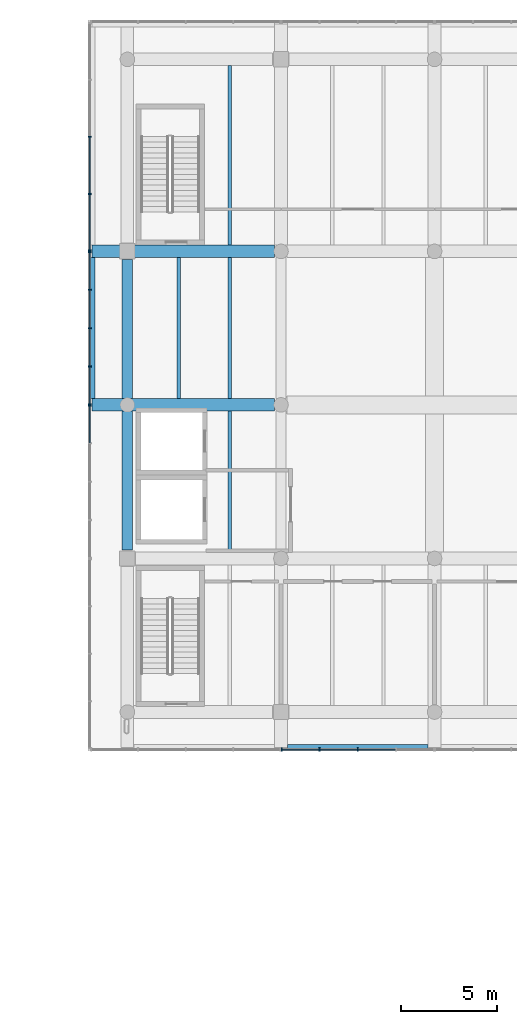
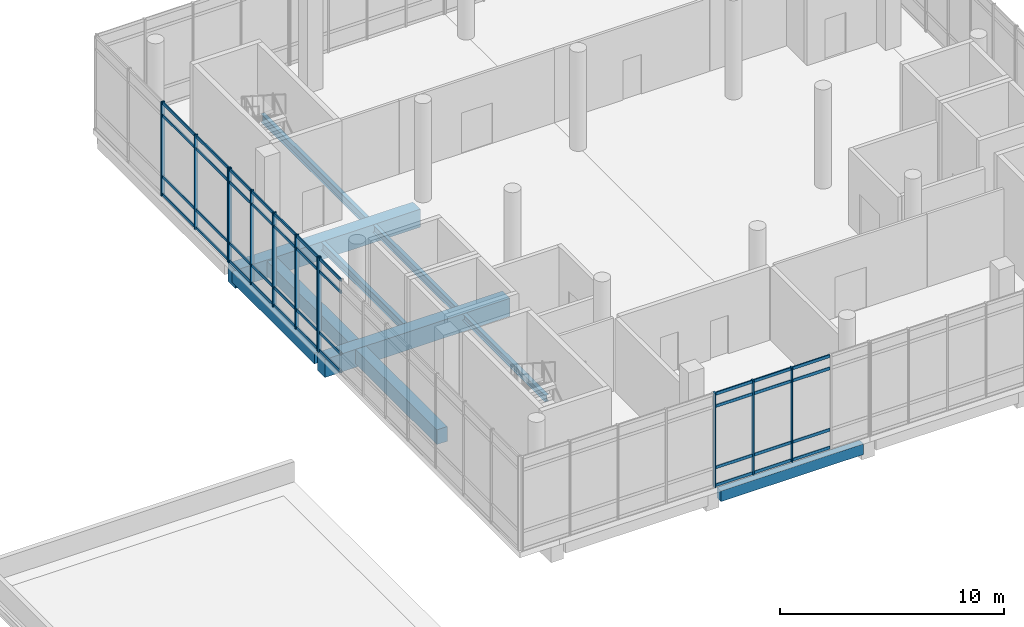
# One storey, part 3 of 20: 52 members, 10 beams, 4 elements without a shape of their own.
"""IFC4 building model written with IfcOpenShell, lengths in metres."""

from ifc_helpers import new_model, si_unit, direction, frame, origin, origin_2d, place, context, subcontext, project, spatial, rectangle, i_section, extrude, material, material_profile, profile_set, type_object, element, aggregate, save


model = new_model("IFC4")

# Units and contexts
model_context = context("Model", 3, precision=1e-05, world=origin(), true_north=direction((0.0, 1.0)))
body_context = subcontext(model_context, "Body", "Model", "MODEL_VIEW")
ifc_project = project(units=[si_unit("LENGTHUNIT", "METRE"), si_unit("AREAUNIT", "SQUARE_METRE"), si_unit("VOLUMEUNIT", "CUBIC_METRE"), si_unit("PLANEANGLEUNIT", "RADIAN"), si_unit("MASSUNIT", "GRAM", prefix="KILO")], contexts=[model_context])

# Site, building, storey
site_placement = place(None, origin())
site = spatial("IfcSite", under=ifc_project, at=site_placement, CompositionType="ELEMENT")
building_placement = place(site_placement, origin())
building = spatial("IfcBuilding", under=site, at=building_placement, Name="Pecanmere Concourse Central Library", CompositionType="ELEMENT")
storey_placement = place(building_placement, frame((0.0, 0.0, 24.89990234375)))
storey = spatial("IfcBuildingStorey", under=building, at=storey_placement, Name="L06", CompositionType="ELEMENT", Elevation=24.89990234375)

# Curtain wall, members
ifc_material_1 = material(Name="Anodized bronze aluminium alloy 6063-T6", Category="aluminium")
curtain_wall_type = type_object("IfcCurtainWallType", Name="CW_PLUMB_BANDED", PredefinedType="USERDEFINED", material=ifc_material_1)
curtain_wall_1_placement = place(storey_placement, origin())
curtain_wall_1 = element("IfcCurtainWall", 1, at=curtain_wall_1_placement, inside=storey, type_object=curtain_wall_type, Name="Unitised Curtain Wall CW-02 L06-075", ObjectType="UNITISED CURTAIN WALL", PredefinedType="USERDEFINED")
ifc_material_2 = material(Name="Anodized bronze aluminium alloy 6063-T6", Category="aluminium")
ifc_material_profile_1 = material_profile(ifc_material_2, rectangle(XDim=0.06494140625, YDim=0.179931640625, at=origin_2d()), Name="AL 65x180")
ifc_profile_set_1 = profile_set([ifc_material_profile_1], Name="Anodized bronze aluminium alloy 6063-T6")
member_type_1 = type_object("IfcMemberType", Name="CWM_180x65", PredefinedType="MULLION", material=ifc_profile_set_1)
member_1_placement = place(storey_placement, frame((80.03759765625, 88.03857421875, 0.0), z_axis=(0.0, 0.0, 1.0), x_axis=(1.0, 0.0, 0.0)))
member_1 = element("IfcMember", 2, at=member_1_placement, type_object=member_type_1, Name="CW-02 Mullion 1", PredefinedType="MULLION", context=body_context, shape_type="SweptSolid", body=[
    extrude(rectangle(XDim=0.06494140625, YDim=0.179931640625, at=origin_2d()), origin(), (0.0, 0.0, 1.0), 5.14013671875),
])
member_2_placement = place(storey_placement, frame((82.00244140625, 88.03857421875, 0.0), z_axis=(0.0, 0.0, 1.0), x_axis=(1.0, 0.0, 0.0)))
member_2 = element("IfcMember", 3, at=member_2_placement, type_object=member_type_1, Name="CW-02 Mullion 2", PredefinedType="MULLION", context=body_context, shape_type="SweptSolid", body=[
    extrude(rectangle(XDim=0.06494140625, YDim=0.179931640625, at=origin_2d()), origin(), (0.0, 0.0, 1.0), 5.14013671875),
])
member_3_placement = place(storey_placement, frame((84.0, 88.03857421875, 0.0), z_axis=(0.0, 0.0, 1.0), x_axis=(1.0, 0.0, 0.0)))
member_3 = element("IfcMember", 4, at=member_3_placement, type_object=member_type_1, Name="CW-02 Mullion 3", PredefinedType="MULLION", context=body_context, shape_type="SweptSolid", body=[
    extrude(rectangle(XDim=0.06494140625, YDim=0.179931640625, at=origin_2d()), origin(), (0.0, 0.0, 1.0), 5.14013671875),
])

curtain_wall_2_placement = place(storey_placement, origin())
curtain_wall_2 = element("IfcCurtainWall", 5, at=curtain_wall_2_placement, inside=storey, type_object=curtain_wall_type, Name="Unitised Curtain Wall CW-02 L06-081", ObjectType="UNITISED CURTAIN WALL", PredefinedType="USERDEFINED")
member_4_placement = place(storey_placement, frame((70.03857421875, 119.963134765625, 0.0), z_axis=(0.0, 0.0, 1.0), x_axis=(0.0, -1.0, 0.0)))
member_4 = element("IfcMember", 6, at=member_4_placement, type_object=member_type_1, Name="CW-02 Mullion 3", PredefinedType="MULLION", context=body_context, shape_type="SweptSolid", body=[
    extrude(rectangle(XDim=0.06494140625, YDim=0.179931640625, at=origin_2d()), origin(), (0.0, 0.0, 1.0), 5.14013671875),
])
member_5_placement = place(storey_placement, frame((70.03857421875, 116.984130859375, 0.0), z_axis=(0.0, 0.0, 1.0), x_axis=(0.0, -1.0, 0.0)))
member_5 = element("IfcMember", 7, at=member_5_placement, type_object=member_type_1, Name="CW-02 Mullion 4", PredefinedType="MULLION", context=body_context, shape_type="SweptSolid", body=[
    extrude(rectangle(XDim=0.06494140625, YDim=0.179931640625, at=origin_2d()), origin(), (0.0, 0.0, 1.0), 5.14013671875),
])
member_6_placement = place(storey_placement, frame((70.03857421875, 114.03759765625, 0.0), z_axis=(0.0, 0.0, 1.0), x_axis=(0.0, -1.0, 0.0)))
member_6 = element("IfcMember", 8, at=member_6_placement, type_object=member_type_1, Name="CW-02 Mullion 5", PredefinedType="MULLION", context=body_context, shape_type="SweptSolid", body=[
    extrude(rectangle(XDim=0.06494140625, YDim=0.179931640625, at=origin_2d()), origin(), (0.0, 0.0, 1.0), 5.14013671875),
])

curtain_wall_3_placement = place(storey_placement, origin())
curtain_wall_3 = element("IfcCurtainWall", 9, at=curtain_wall_3_placement, inside=storey, type_object=curtain_wall_type, Name="Unitised Curtain Wall CW-02 L06-082", ObjectType="UNITISED CURTAIN WALL", PredefinedType="USERDEFINED")
member_7_placement = place(storey_placement, frame((70.03857421875, 113.96240234375, 0.0), z_axis=(0.0, 0.0, 1.0), x_axis=(0.0, -1.0, 0.0)))
member_7 = element("IfcMember", 10, at=member_7_placement, type_object=member_type_1, Name="CW-02 Mullion 1", PredefinedType="MULLION", context=body_context, shape_type="SweptSolid", body=[
    extrude(rectangle(XDim=0.06494140625, YDim=0.179931640625, at=origin_2d()), origin(), (0.0, 0.0, 1.0), 5.14013671875),
])
member_8_placement = place(storey_placement, frame((70.03857421875, 111.99755859375, 0.0), z_axis=(0.0, 0.0, 1.0), x_axis=(0.0, -1.0, 0.0)))
member_8 = element("IfcMember", 11, at=member_8_placement, type_object=member_type_1, Name="CW-02 Mullion 2", PredefinedType="MULLION", context=body_context, shape_type="SweptSolid", body=[
    extrude(rectangle(XDim=0.06494140625, YDim=0.179931640625, at=origin_2d()), origin(), (0.0, 0.0, 1.0), 5.14013671875),
])
member_9_placement = place(storey_placement, frame((70.03857421875, 110.0, 0.0), z_axis=(0.0, 0.0, 1.0), x_axis=(0.0, -1.0, 0.0)))
member_9 = element("IfcMember", 12, at=member_9_placement, type_object=member_type_1, Name="CW-02 Mullion 3", PredefinedType="MULLION", context=body_context, shape_type="SweptSolid", body=[
    extrude(rectangle(XDim=0.06494140625, YDim=0.179931640625, at=origin_2d()), origin(), (0.0, 0.0, 1.0), 5.14013671875),
])
member_10_placement = place(storey_placement, frame((70.03857421875, 108.00244140625, 0.0), z_axis=(0.0, 0.0, 1.0), x_axis=(0.0, -1.0, 0.0)))
member_10 = element("IfcMember", 13, at=member_10_placement, type_object=member_type_1, Name="CW-02 Mullion 4", PredefinedType="MULLION", context=body_context, shape_type="SweptSolid", body=[
    extrude(rectangle(XDim=0.06494140625, YDim=0.179931640625, at=origin_2d()), origin(), (0.0, 0.0, 1.0), 5.14013671875),
])
member_11_placement = place(storey_placement, frame((70.03857421875, 106.03759765625, 0.0), z_axis=(0.0, 0.0, 1.0), x_axis=(0.0, -1.0, 0.0)))
member_11 = element("IfcMember", 14, at=member_11_placement, type_object=member_type_1, Name="CW-02 Mullion 5", PredefinedType="MULLION", context=body_context, shape_type="SweptSolid", body=[
    extrude(rectangle(XDim=0.06494140625, YDim=0.179931640625, at=origin_2d()), origin(), (0.0, 0.0, 1.0), 5.14013671875),
])

# Curtain wall, member
curtain_wall_4_placement = place(storey_placement, origin())
curtain_wall_4 = element("IfcCurtainWall", 15, at=curtain_wall_4_placement, inside=storey, type_object=curtain_wall_type, Name="Unitised Curtain Wall CW-02 L06-083", ObjectType="UNITISED CURTAIN WALL", PredefinedType="USERDEFINED")
member_12_placement = place(storey_placement, frame((70.03857421875, 105.96240234375, 0.0), z_axis=(0.0, 0.0, 1.0), x_axis=(0.0, -1.0, 0.0)))
member_12 = element("IfcMember", 16, at=member_12_placement, type_object=member_type_1, Name="CW-02 Mullion 1", PredefinedType="MULLION", context=body_context, shape_type="SweptSolid", body=[
    extrude(rectangle(XDim=0.06494140625, YDim=0.179931640625, at=origin_2d()), origin(), (0.0, 0.0, 1.0), 5.14013671875),
])

# Member
ifc_material_3 = material(Name="Anodized bronze aluminium alloy 6063-T6", Category="aluminium")
ifc_material_profile_2 = material_profile(ifc_material_3, rectangle(XDim=0.06005859375, YDim=0.159912109375, at=origin_2d()), Name="AL 60x160")
ifc_profile_set_2 = profile_set([ifc_material_profile_2], Name="Anodized bronze aluminium alloy 6063-T6")
member_type_2 = type_object("IfcMemberType", Name="CWT_160x60", PredefinedType="USERDEFINED", material=ifc_profile_set_2)
member_13_placement = place(storey_placement, frame((80.070068359375, 88.03857421875, 0.080078125), z_axis=(1.0, 0.0, 0.0), x_axis=(0.0, 1.0, 0.0)))
member_13 = element("IfcMember", 17, at=member_13_placement, type_object=member_type_2, Name="CW-02 Transom 1.1", ObjectType="TRANSOM", PredefinedType="USERDEFINED", context=body_context, shape_type="SweptSolid", body=[
    extrude(rectangle(XDim=0.06005859375, YDim=0.159912109375, at=origin_2d()), origin(), (0.0, 0.0, 1.0), 1.89990234375),
])

member_14_placement = place(storey_placement, frame((80.070068359375, 88.03857421875, 1.050048828125), z_axis=(1.0, 0.0, 0.0), x_axis=(0.0, 1.0, 0.0)))
member_14 = element("IfcMember", 18, at=member_14_placement, type_object=member_type_2, Name="CW-02 Transom 1.2", ObjectType="TRANSOM", PredefinedType="USERDEFINED", context=body_context, shape_type="SweptSolid", body=[
    extrude(rectangle(XDim=0.06005859375, YDim=0.159912109375, at=origin_2d()), origin(), (0.0, 0.0, 1.0), 1.89990234375),
])

member_15_placement = place(storey_placement, frame((80.070068359375, 88.03857421875, 4.39013671875), z_axis=(1.0, 0.0, 0.0), x_axis=(0.0, 1.0, 0.0)))
member_15 = element("IfcMember", 19, at=member_15_placement, type_object=member_type_2, Name="CW-02 Transom 1.3", ObjectType="TRANSOM", PredefinedType="USERDEFINED", context=body_context, shape_type="SweptSolid", body=[
    extrude(rectangle(XDim=0.06005859375, YDim=0.159912109375, at=origin_2d()), origin(), (0.0, 0.0, 1.0), 1.89990234375),
])

member_16_placement = place(storey_placement, frame((80.070068359375, 88.03857421875, 5.06005859375), z_axis=(1.0, 0.0, 0.0), x_axis=(0.0, 1.0, 0.0)))
member_16 = element("IfcMember", 20, at=member_16_placement, type_object=member_type_2, Name="CW-02 Transom 1.4", ObjectType="TRANSOM", PredefinedType="USERDEFINED", context=body_context, shape_type="SweptSolid", body=[
    extrude(rectangle(XDim=0.06005859375, YDim=0.159912109375, at=origin_2d()), origin(), (0.0, 0.0, 1.0), 1.89990234375),
])

member_17_placement = place(storey_placement, frame((82.034912109375, 88.03857421875, 0.080078125), z_axis=(1.0, 0.0, 0.0), x_axis=(0.0, 1.0, 0.0)))
member_17 = element("IfcMember", 21, at=member_17_placement, type_object=member_type_2, Name="CW-02 Transom 2.1", ObjectType="TRANSOM", PredefinedType="USERDEFINED", context=body_context, shape_type="SweptSolid", body=[
    extrude(rectangle(XDim=0.06005859375, YDim=0.159912109375, at=origin_2d()), origin(), (0.0, 0.0, 1.0), 1.9326171875),
])

member_18_placement = place(storey_placement, frame((82.034912109375, 88.03857421875, 1.050048828125), z_axis=(1.0, 0.0, 0.0), x_axis=(0.0, 1.0, 0.0)))
member_18 = element("IfcMember", 22, at=member_18_placement, type_object=member_type_2, Name="CW-02 Transom 2.2", ObjectType="TRANSOM", PredefinedType="USERDEFINED", context=body_context, shape_type="SweptSolid", body=[
    extrude(rectangle(XDim=0.06005859375, YDim=0.159912109375, at=origin_2d()), origin(), (0.0, 0.0, 1.0), 1.9326171875),
])

member_19_placement = place(storey_placement, frame((82.034912109375, 88.03857421875, 4.39013671875), z_axis=(1.0, 0.0, 0.0), x_axis=(0.0, 1.0, 0.0)))
member_19 = element("IfcMember", 23, at=member_19_placement, type_object=member_type_2, Name="CW-02 Transom 2.3", ObjectType="TRANSOM", PredefinedType="USERDEFINED", context=body_context, shape_type="SweptSolid", body=[
    extrude(rectangle(XDim=0.06005859375, YDim=0.159912109375, at=origin_2d()), origin(), (0.0, 0.0, 1.0), 1.9326171875),
])

member_20_placement = place(storey_placement, frame((82.034912109375, 88.03857421875, 5.06005859375), z_axis=(1.0, 0.0, 0.0), x_axis=(0.0, 1.0, 0.0)))
member_20 = element("IfcMember", 24, at=member_20_placement, type_object=member_type_2, Name="CW-02 Transom 2.4", ObjectType="TRANSOM", PredefinedType="USERDEFINED", context=body_context, shape_type="SweptSolid", body=[
    extrude(rectangle(XDim=0.06005859375, YDim=0.159912109375, at=origin_2d()), origin(), (0.0, 0.0, 1.0), 1.9326171875),
])

member_21_placement = place(storey_placement, frame((84.032470703125, 88.03857421875, 0.080078125), z_axis=(1.0, 0.0, 0.0), x_axis=(0.0, 1.0, 0.0)))
member_21 = element("IfcMember", 25, at=member_21_placement, type_object=member_type_2, Name="CW-02 Transom 3.1", ObjectType="TRANSOM", PredefinedType="USERDEFINED", context=body_context, shape_type="SweptSolid", body=[
    extrude(rectangle(XDim=0.06005859375, YDim=0.159912109375, at=origin_2d()), origin(), (0.0, 0.0, 1.0), 1.9326171875),
])

member_22_placement = place(storey_placement, frame((84.032470703125, 88.03857421875, 1.050048828125), z_axis=(1.0, 0.0, 0.0), x_axis=(0.0, 1.0, 0.0)))
member_22 = element("IfcMember", 26, at=member_22_placement, type_object=member_type_2, Name="CW-02 Transom 3.2", ObjectType="TRANSOM", PredefinedType="USERDEFINED", context=body_context, shape_type="SweptSolid", body=[
    extrude(rectangle(XDim=0.06005859375, YDim=0.159912109375, at=origin_2d()), origin(), (0.0, 0.0, 1.0), 1.9326171875),
])

member_23_placement = place(storey_placement, frame((84.032470703125, 88.03857421875, 4.39013671875), z_axis=(1.0, 0.0, 0.0), x_axis=(0.0, 1.0, 0.0)))
member_23 = element("IfcMember", 27, at=member_23_placement, type_object=member_type_2, Name="CW-02 Transom 3.3", ObjectType="TRANSOM", PredefinedType="USERDEFINED", context=body_context, shape_type="SweptSolid", body=[
    extrude(rectangle(XDim=0.06005859375, YDim=0.159912109375, at=origin_2d()), origin(), (0.0, 0.0, 1.0), 1.9326171875),
])

member_24_placement = place(storey_placement, frame((84.032470703125, 88.03857421875, 5.06005859375), z_axis=(1.0, 0.0, 0.0), x_axis=(0.0, 1.0, 0.0)))
member_24 = element("IfcMember", 28, at=member_24_placement, type_object=member_type_2, Name="CW-02 Transom 3.4", ObjectType="TRANSOM", PredefinedType="USERDEFINED", context=body_context, shape_type="SweptSolid", body=[
    extrude(rectangle(XDim=0.06005859375, YDim=0.159912109375, at=origin_2d()), origin(), (0.0, 0.0, 1.0), 1.9326171875),
])

aggregate(curtain_wall_1, [member_1, member_2, member_3, member_13, member_14, member_15, member_16, member_17, member_18, member_19, member_20, member_21, member_22, member_23, member_24])

member_25_placement = place(storey_placement, frame((70.03857421875, 119.9306640625, 0.080078125), z_axis=(0.0, -1.0, 0.0), x_axis=(1.0, 0.0, 0.0)))
member_25 = element("IfcMember", 29, at=member_25_placement, type_object=member_type_2, Name="CW-02 Transom 3.1", ObjectType="TRANSOM", PredefinedType="USERDEFINED", context=body_context, shape_type="SweptSolid", body=[
    extrude(rectangle(XDim=0.06005859375, YDim=0.159912109375, at=origin_2d()), origin(), (0.0, 0.0, 1.0), 2.9140625),
])

member_26_placement = place(storey_placement, frame((70.03857421875, 119.9306640625, 1.050048828125), z_axis=(0.0, -1.0, 0.0), x_axis=(1.0, 0.0, 0.0)))
member_26 = element("IfcMember", 30, at=member_26_placement, type_object=member_type_2, Name="CW-02 Transom 3.2", ObjectType="TRANSOM", PredefinedType="USERDEFINED", context=body_context, shape_type="SweptSolid", body=[
    extrude(rectangle(XDim=0.06005859375, YDim=0.159912109375, at=origin_2d()), origin(), (0.0, 0.0, 1.0), 2.9140625),
])

member_27_placement = place(storey_placement, frame((70.03857421875, 119.9306640625, 4.39013671875), z_axis=(0.0, -1.0, 0.0), x_axis=(1.0, 0.0, 0.0)))
member_27 = element("IfcMember", 31, at=member_27_placement, type_object=member_type_2, Name="CW-02 Transom 3.3", ObjectType="TRANSOM", PredefinedType="USERDEFINED", context=body_context, shape_type="SweptSolid", body=[
    extrude(rectangle(XDim=0.06005859375, YDim=0.159912109375, at=origin_2d()), origin(), (0.0, 0.0, 1.0), 2.9140625),
])

member_28_placement = place(storey_placement, frame((70.03857421875, 119.9306640625, 5.06005859375), z_axis=(0.0, -1.0, 0.0), x_axis=(1.0, 0.0, 0.0)))
member_28 = element("IfcMember", 32, at=member_28_placement, type_object=member_type_2, Name="CW-02 Transom 3.4", ObjectType="TRANSOM", PredefinedType="USERDEFINED", context=body_context, shape_type="SweptSolid", body=[
    extrude(rectangle(XDim=0.06005859375, YDim=0.159912109375, at=origin_2d()), origin(), (0.0, 0.0, 1.0), 2.9140625),
])

member_29_placement = place(storey_placement, frame((70.03857421875, 116.95166015625, 0.080078125), z_axis=(0.0, -1.0, 0.0), x_axis=(1.0, 0.0, 0.0)))
member_29 = element("IfcMember", 33, at=member_29_placement, type_object=member_type_2, Name="CW-02 Transom 4.1", ObjectType="TRANSOM", PredefinedType="USERDEFINED", context=body_context, shape_type="SweptSolid", body=[
    extrude(rectangle(XDim=0.06005859375, YDim=0.159912109375, at=origin_2d()), origin(), (0.0, 0.0, 1.0), 2.881591796875),
])

member_30_placement = place(storey_placement, frame((70.03857421875, 116.95166015625, 1.050048828125), z_axis=(0.0, -1.0, 0.0), x_axis=(1.0, 0.0, 0.0)))
member_30 = element("IfcMember", 34, at=member_30_placement, type_object=member_type_2, Name="CW-02 Transom 4.2", ObjectType="TRANSOM", PredefinedType="USERDEFINED", context=body_context, shape_type="SweptSolid", body=[
    extrude(rectangle(XDim=0.06005859375, YDim=0.159912109375, at=origin_2d()), origin(), (0.0, 0.0, 1.0), 2.881591796875),
])

member_31_placement = place(storey_placement, frame((70.03857421875, 116.95166015625, 4.39013671875), z_axis=(0.0, -1.0, 0.0), x_axis=(1.0, 0.0, 0.0)))
member_31 = element("IfcMember", 35, at=member_31_placement, type_object=member_type_2, Name="CW-02 Transom 4.3", ObjectType="TRANSOM", PredefinedType="USERDEFINED", context=body_context, shape_type="SweptSolid", body=[
    extrude(rectangle(XDim=0.06005859375, YDim=0.159912109375, at=origin_2d()), origin(), (0.0, 0.0, 1.0), 2.881591796875),
])

member_32_placement = place(storey_placement, frame((70.03857421875, 116.95166015625, 5.06005859375), z_axis=(0.0, -1.0, 0.0), x_axis=(1.0, 0.0, 0.0)))
member_32 = element("IfcMember", 36, at=member_32_placement, type_object=member_type_2, Name="CW-02 Transom 4.4", ObjectType="TRANSOM", PredefinedType="USERDEFINED", context=body_context, shape_type="SweptSolid", body=[
    extrude(rectangle(XDim=0.06005859375, YDim=0.159912109375, at=origin_2d()), origin(), (0.0, 0.0, 1.0), 2.881591796875),
])

aggregate(curtain_wall_2, [member_4, member_5, member_6, member_25, member_26, member_27, member_28, member_29, member_30, member_31, member_32])

member_33_placement = place(storey_placement, frame((70.03857421875, 113.929931640625, 0.080078125), z_axis=(0.0, -1.0, 0.0), x_axis=(1.0, 0.0, 0.0)))
member_33 = element("IfcMember", 37, at=member_33_placement, type_object=member_type_2, Name="CW-02 Transom 1.1", ObjectType="TRANSOM", PredefinedType="USERDEFINED", context=body_context, shape_type="SweptSolid", body=[
    extrude(rectangle(XDim=0.06005859375, YDim=0.159912109375, at=origin_2d()), origin(), (0.0, 0.0, 1.0), 1.89990234375),
])

member_34_placement = place(storey_placement, frame((70.03857421875, 113.929931640625, 1.050048828125), z_axis=(0.0, -1.0, 0.0), x_axis=(1.0, 0.0, 0.0)))
member_34 = element("IfcMember", 38, at=member_34_placement, type_object=member_type_2, Name="CW-02 Transom 1.2", ObjectType="TRANSOM", PredefinedType="USERDEFINED", context=body_context, shape_type="SweptSolid", body=[
    extrude(rectangle(XDim=0.06005859375, YDim=0.159912109375, at=origin_2d()), origin(), (0.0, 0.0, 1.0), 1.89990234375),
])

member_35_placement = place(storey_placement, frame((70.03857421875, 113.929931640625, 4.39013671875), z_axis=(0.0, -1.0, 0.0), x_axis=(1.0, 0.0, 0.0)))
member_35 = element("IfcMember", 39, at=member_35_placement, type_object=member_type_2, Name="CW-02 Transom 1.3", ObjectType="TRANSOM", PredefinedType="USERDEFINED", context=body_context, shape_type="SweptSolid", body=[
    extrude(rectangle(XDim=0.06005859375, YDim=0.159912109375, at=origin_2d()), origin(), (0.0, 0.0, 1.0), 1.89990234375),
])

member_36_placement = place(storey_placement, frame((70.03857421875, 113.929931640625, 5.06005859375), z_axis=(0.0, -1.0, 0.0), x_axis=(1.0, 0.0, 0.0)))
member_36 = element("IfcMember", 40, at=member_36_placement, type_object=member_type_2, Name="CW-02 Transom 1.4", ObjectType="TRANSOM", PredefinedType="USERDEFINED", context=body_context, shape_type="SweptSolid", body=[
    extrude(rectangle(XDim=0.06005859375, YDim=0.159912109375, at=origin_2d()), origin(), (0.0, 0.0, 1.0), 1.89990234375),
])

member_37_placement = place(storey_placement, frame((70.03857421875, 111.965087890625, 0.080078125), z_axis=(0.0, -1.0, 0.0), x_axis=(1.0, 0.0, 0.0)))
member_37 = element("IfcMember", 41, at=member_37_placement, type_object=member_type_2, Name="CW-02 Transom 2.1", ObjectType="TRANSOM", PredefinedType="USERDEFINED", context=body_context, shape_type="SweptSolid", body=[
    extrude(rectangle(XDim=0.06005859375, YDim=0.159912109375, at=origin_2d()), origin(), (0.0, 0.0, 1.0), 1.9326171875),
])

member_38_placement = place(storey_placement, frame((70.03857421875, 111.965087890625, 1.050048828125), z_axis=(0.0, -1.0, 0.0), x_axis=(1.0, 0.0, 0.0)))
member_38 = element("IfcMember", 42, at=member_38_placement, type_object=member_type_2, Name="CW-02 Transom 2.2", ObjectType="TRANSOM", PredefinedType="USERDEFINED", context=body_context, shape_type="SweptSolid", body=[
    extrude(rectangle(XDim=0.06005859375, YDim=0.159912109375, at=origin_2d()), origin(), (0.0, 0.0, 1.0), 1.9326171875),
])

member_39_placement = place(storey_placement, frame((70.03857421875, 111.965087890625, 4.39013671875), z_axis=(0.0, -1.0, 0.0), x_axis=(1.0, 0.0, 0.0)))
member_39 = element("IfcMember", 43, at=member_39_placement, type_object=member_type_2, Name="CW-02 Transom 2.3", ObjectType="TRANSOM", PredefinedType="USERDEFINED", context=body_context, shape_type="SweptSolid", body=[
    extrude(rectangle(XDim=0.06005859375, YDim=0.159912109375, at=origin_2d()), origin(), (0.0, 0.0, 1.0), 1.9326171875),
])

member_40_placement = place(storey_placement, frame((70.03857421875, 111.965087890625, 5.06005859375), z_axis=(0.0, -1.0, 0.0), x_axis=(1.0, 0.0, 0.0)))
member_40 = element("IfcMember", 44, at=member_40_placement, type_object=member_type_2, Name="CW-02 Transom 2.4", ObjectType="TRANSOM", PredefinedType="USERDEFINED", context=body_context, shape_type="SweptSolid", body=[
    extrude(rectangle(XDim=0.06005859375, YDim=0.159912109375, at=origin_2d()), origin(), (0.0, 0.0, 1.0), 1.9326171875),
])

member_41_placement = place(storey_placement, frame((70.03857421875, 109.967529296875, 0.080078125), z_axis=(0.0, -1.0, 0.0), x_axis=(1.0, 0.0, 0.0)))
member_41 = element("IfcMember", 45, at=member_41_placement, type_object=member_type_2, Name="CW-02 Transom 3.1", ObjectType="TRANSOM", PredefinedType="USERDEFINED", context=body_context, shape_type="SweptSolid", body=[
    extrude(rectangle(XDim=0.06005859375, YDim=0.159912109375, at=origin_2d()), origin(), (0.0, 0.0, 1.0), 1.9326171875),
])

member_42_placement = place(storey_placement, frame((70.03857421875, 109.967529296875, 1.050048828125), z_axis=(0.0, -1.0, 0.0), x_axis=(1.0, 0.0, 0.0)))
member_42 = element("IfcMember", 46, at=member_42_placement, type_object=member_type_2, Name="CW-02 Transom 3.2", ObjectType="TRANSOM", PredefinedType="USERDEFINED", context=body_context, shape_type="SweptSolid", body=[
    extrude(rectangle(XDim=0.06005859375, YDim=0.159912109375, at=origin_2d()), origin(), (0.0, 0.0, 1.0), 1.9326171875),
])

member_43_placement = place(storey_placement, frame((70.03857421875, 109.967529296875, 4.39013671875), z_axis=(0.0, -1.0, 0.0), x_axis=(1.0, 0.0, 0.0)))
member_43 = element("IfcMember", 47, at=member_43_placement, type_object=member_type_2, Name="CW-02 Transom 3.3", ObjectType="TRANSOM", PredefinedType="USERDEFINED", context=body_context, shape_type="SweptSolid", body=[
    extrude(rectangle(XDim=0.06005859375, YDim=0.159912109375, at=origin_2d()), origin(), (0.0, 0.0, 1.0), 1.9326171875),
])

member_44_placement = place(storey_placement, frame((70.03857421875, 109.967529296875, 5.06005859375), z_axis=(0.0, -1.0, 0.0), x_axis=(1.0, 0.0, 0.0)))
member_44 = element("IfcMember", 48, at=member_44_placement, type_object=member_type_2, Name="CW-02 Transom 3.4", ObjectType="TRANSOM", PredefinedType="USERDEFINED", context=body_context, shape_type="SweptSolid", body=[
    extrude(rectangle(XDim=0.06005859375, YDim=0.159912109375, at=origin_2d()), origin(), (0.0, 0.0, 1.0), 1.9326171875),
])

member_45_placement = place(storey_placement, frame((70.03857421875, 107.969970703125, 0.080078125), z_axis=(0.0, -1.0, 0.0), x_axis=(1.0, 0.0, 0.0)))
member_45 = element("IfcMember", 49, at=member_45_placement, type_object=member_type_2, Name="CW-02 Transom 4.1", ObjectType="TRANSOM", PredefinedType="USERDEFINED", context=body_context, shape_type="SweptSolid", body=[
    extrude(rectangle(XDim=0.06005859375, YDim=0.159912109375, at=origin_2d()), origin(), (0.0, 0.0, 1.0), 1.89990234375),
])

member_46_placement = place(storey_placement, frame((70.03857421875, 107.969970703125, 1.050048828125), z_axis=(0.0, -1.0, 0.0), x_axis=(1.0, 0.0, 0.0)))
member_46 = element("IfcMember", 50, at=member_46_placement, type_object=member_type_2, Name="CW-02 Transom 4.2", ObjectType="TRANSOM", PredefinedType="USERDEFINED", context=body_context, shape_type="SweptSolid", body=[
    extrude(rectangle(XDim=0.06005859375, YDim=0.159912109375, at=origin_2d()), origin(), (0.0, 0.0, 1.0), 1.89990234375),
])

member_47_placement = place(storey_placement, frame((70.03857421875, 107.969970703125, 4.39013671875), z_axis=(0.0, -1.0, 0.0), x_axis=(1.0, 0.0, 0.0)))
member_47 = element("IfcMember", 51, at=member_47_placement, type_object=member_type_2, Name="CW-02 Transom 4.3", ObjectType="TRANSOM", PredefinedType="USERDEFINED", context=body_context, shape_type="SweptSolid", body=[
    extrude(rectangle(XDim=0.06005859375, YDim=0.159912109375, at=origin_2d()), origin(), (0.0, 0.0, 1.0), 1.89990234375),
])

member_48_placement = place(storey_placement, frame((70.03857421875, 107.969970703125, 5.06005859375), z_axis=(0.0, -1.0, 0.0), x_axis=(1.0, 0.0, 0.0)))
member_48 = element("IfcMember", 52, at=member_48_placement, type_object=member_type_2, Name="CW-02 Transom 4.4", ObjectType="TRANSOM", PredefinedType="USERDEFINED", context=body_context, shape_type="SweptSolid", body=[
    extrude(rectangle(XDim=0.06005859375, YDim=0.159912109375, at=origin_2d()), origin(), (0.0, 0.0, 1.0), 1.89990234375),
])

aggregate(curtain_wall_3, [member_7, member_8, member_9, member_10, member_11, member_33, member_34, member_35, member_36, member_37, member_38, member_39, member_40, member_41, member_42, member_43, member_44, member_45, member_46, member_47, member_48])

member_49_placement = place(storey_placement, frame((70.03857421875, 105.929931640625, 0.080078125), z_axis=(0.0, -1.0, 0.0), x_axis=(1.0, 0.0, 0.0)))
member_49 = element("IfcMember", 53, at=member_49_placement, type_object=member_type_2, Name="CW-02 Transom 1.1", ObjectType="TRANSOM", PredefinedType="USERDEFINED", context=body_context, shape_type="SweptSolid", body=[
    extrude(rectangle(XDim=0.06005859375, YDim=0.159912109375, at=origin_2d()), origin(), (0.0, 0.0, 1.0), 1.89990234375),
])

member_50_placement = place(storey_placement, frame((70.03857421875, 105.929931640625, 1.050048828125), z_axis=(0.0, -1.0, 0.0), x_axis=(1.0, 0.0, 0.0)))
member_50 = element("IfcMember", 54, at=member_50_placement, type_object=member_type_2, Name="CW-02 Transom 1.2", ObjectType="TRANSOM", PredefinedType="USERDEFINED", context=body_context, shape_type="SweptSolid", body=[
    extrude(rectangle(XDim=0.06005859375, YDim=0.159912109375, at=origin_2d()), origin(), (0.0, 0.0, 1.0), 1.89990234375),
])

member_51_placement = place(storey_placement, frame((70.03857421875, 105.929931640625, 4.39013671875), z_axis=(0.0, -1.0, 0.0), x_axis=(1.0, 0.0, 0.0)))
member_51 = element("IfcMember", 55, at=member_51_placement, type_object=member_type_2, Name="CW-02 Transom 1.3", ObjectType="TRANSOM", PredefinedType="USERDEFINED", context=body_context, shape_type="SweptSolid", body=[
    extrude(rectangle(XDim=0.06005859375, YDim=0.159912109375, at=origin_2d()), origin(), (0.0, 0.0, 1.0), 1.89990234375),
])

member_52_placement = place(storey_placement, frame((70.03857421875, 105.929931640625, 5.06005859375), z_axis=(0.0, -1.0, 0.0), x_axis=(1.0, 0.0, 0.0)))
member_52 = element("IfcMember", 56, at=member_52_placement, type_object=member_type_2, Name="CW-02 Transom 1.4", ObjectType="TRANSOM", PredefinedType="USERDEFINED", context=body_context, shape_type="SweptSolid", body=[
    extrude(rectangle(XDim=0.06005859375, YDim=0.159912109375, at=origin_2d()), origin(), (0.0, 0.0, 1.0), 1.89990234375),
])

aggregate(curtain_wall_4, [member_12, member_49, member_50, member_51, member_52])

# Beams
ifc_material_4 = material(Name="Concrete C40/50", Category="concrete")
ifc_material_profile_3 = material_profile(ifc_material_4, rectangle(XDim=0.5400390625, YDim=0.800048828125, at=origin_2d()), Name="RC 540x800")
ifc_profile_set_3 = profile_set([ifc_material_profile_3], Name="Concrete C40/50")
beam_type_1 = type_object("IfcBeamType", Name="GRD_540x800", PredefinedType="USERDEFINED", material=ifc_profile_set_3)
for number, where, z_axis, x_axis, name in (
    (57, (72.0, 98.429931640625, -0.699951171875), (0.0, 1.0, 0.0), (-1.0, 0.0, 0.0), "Primary Girder Y L06-2685"),
    (58, (72.0, 106.324951171875, -0.699951171875), (0.0, 1.0, 0.0), (-1.0, 0.0, 0.0), "Primary Girder Y L06-2686"),
):
    element("IfcBeam", number, at=place(storey_placement, frame(where, z_axis=z_axis, x_axis=x_axis)), inside=storey, type_object=beam_type_1, Name=name, ObjectType="GIRDER", PredefinedType="USERDEFINED", context=body_context, shape_type="SweptSolid", body=[
        extrude(rectangle(XDim=0.5400390625, YDim=0.800048828125, at=origin_2d()), origin(), (0.0, 0.0, 1.0), 7.2451171875),
    ])
ifc_material_5 = material(Name="Concrete C40/50", Category="concrete")
ifc_material_profile_4 = material_profile(ifc_material_5, rectangle(XDim=0.659912109375, YDim=0.97998046875, at=origin_2d()), Name="RC 660x980")
ifc_profile_set_4 = profile_set([ifc_material_profile_4], Name="Concrete C40/50")
beam_type_2 = type_object("IfcBeamType", Name="GRD_660x980", PredefinedType="USERDEFINED", material=ifc_profile_set_4)
for number, where, z_axis, x_axis, name in (
    (59, (70.1484375, 106.0, -0.789794921875), (1.0, 0.0, 0.0), (0.0, 1.0, 0.0), "Primary Girder X L06-2658"),
    (60, (70.1484375, 114.0, -0.789794921875), (1.0, 0.0, 0.0), (0.0, 1.0, 0.0), "Primary Girder X L06-2661"),
):
    element("IfcBeam", number, at=place(storey_placement, frame(where, z_axis=z_axis, x_axis=x_axis)), inside=storey, type_object=beam_type_2, Name=name, ObjectType="GIRDER", PredefinedType="USERDEFINED", context=body_context, shape_type="SweptSolid", body=[
        extrude(rectangle(XDim=0.659912109375, YDim=0.97998046875, at=origin_2d()), origin(), (0.0, 0.0, 1.0), 9.526611328125),
    ])
ifc_material_6 = material(Name="Structural steel ASTM A992 Grade 50", Category="steel")
ifc_material_profile_5 = material_profile(ifc_material_6, i_section(OverallWidth=0.202880859375, OverallDepth=0.346923828125, WebThickness=0.0078125, FlangeThickness=0.013427734375, at=origin_2d()), Name="W360x64")
ifc_profile_set_5 = profile_set([ifc_material_profile_5], Name="Structural steel ASTM A992 Grade 50")
beam_type_3 = type_object("IfcBeamType", Name="SBM_W360x64", PredefinedType="JOIST", material=ifc_profile_set_5)
beam_1_placement = place(storey_placement, frame((77.333251953125, 98.330078125, -0.473388671875), z_axis=(0.0, 1.0, 0.0), x_axis=(-1.0, 0.0, 0.0)))
element("IfcBeam", 61, at=beam_1_placement, inside=storey, type_object=beam_type_3, Name="Secondary Floor Joist L06-2749", PredefinedType="JOIST", context=body_context, shape_type="SweptSolid", body=[
    extrude(i_section(OverallWidth=0.202880859375, OverallDepth=0.346923828125, WebThickness=0.0078125, FlangeThickness=0.013427734375, at=origin_2d()), origin(), (0.0, 0.0, 1.0), 7.33984375),
])
ifc_material_7 = material(Name="Structural steel ASTM A992 Grade 50", Category="steel")
ifc_material_profile_6 = material_profile(ifc_material_7, i_section(OverallWidth=0.180908203125, OverallDepth=0.4169921875, WebThickness=0.010986328125, FlangeThickness=0.018310546875, at=origin_2d()), Name="W410x85")
ifc_profile_set_6 = profile_set([ifc_material_profile_6], Name="Structural steel ASTM A992 Grade 50")
beam_type_4 = type_object("IfcBeamType", Name="SBM_W410x85", PredefinedType="BEAM", material=ifc_profile_set_6)
beam_2_placement = place(storey_placement, frame((77.333251953125, 106.330078125, -0.50830078125), z_axis=(0.0, 1.0, 0.0), x_axis=(-1.0, 0.0, 0.0)))
element("IfcBeam", 62, at=beam_2_placement, inside=storey, type_object=beam_type_4, Name="Secondary Floor Joist L06-2751", PredefinedType="BEAM", context=body_context, shape_type="SweptSolid", body=[
    extrude(i_section(OverallWidth=0.180908203125, OverallDepth=0.4169921875, WebThickness=0.010986328125, FlangeThickness=0.018310546875, at=origin_2d()), origin(), (0.0, 0.0, 1.0), 7.33984375),
])
ifc_material_8 = material(Name="Structural steel ASTM A992 Grade 50", Category="steel")
ifc_material_profile_7 = material_profile(ifc_material_8, i_section(OverallWidth=0.194091796875, OverallDepth=0.468994140625, WebThickness=0.0126953125, FlangeThickness=0.0205078125, at=origin_2d()), Name="W460x106")
ifc_profile_set_7 = profile_set([ifc_material_profile_7], Name="Structural steel ASTM A992 Grade 50")
beam_type_5 = type_object("IfcBeamType", Name="SBM_W460x106", PredefinedType="USERDEFINED", material=ifc_profile_set_7)
beam_3_placement = place(storey_placement, frame((77.333251953125, 114.330078125, -0.534423828125), z_axis=(0.0, 1.0, 0.0), x_axis=(-1.0, 0.0, 0.0)))
element("IfcBeam", 63, at=beam_3_placement, inside=storey, type_object=beam_type_5, Name="Secondary Floor Joist L06-2752", ObjectType="GIRDER", PredefinedType="USERDEFINED", context=body_context, shape_type="SweptSolid", body=[
    extrude(i_section(OverallWidth=0.194091796875, OverallDepth=0.468994140625, WebThickness=0.0126953125, FlangeThickness=0.0205078125, at=origin_2d()), origin(), (0.0, 0.0, 1.0), 9.33984375),
])
ifc_material_9 = material(Name="Structural steel ASTM A992 Grade 50", Category="steel")
ifc_material_profile_8 = material_profile(ifc_material_9, i_section(OverallWidth=0.18994140625, OverallDepth=0.45703125, WebThickness=0.009033203125, FlangeThickness=0.014404296875, at=origin_2d()), Name="W460x74")
ifc_profile_set_8 = profile_set([ifc_material_profile_8], Name="Structural steel ASTM A992 Grade 50")
beam_type_6 = type_object("IfcBeamType", Name="SBM_W460x74", PredefinedType="BEAM", material=ifc_profile_set_8)
beam_4_placement = place(storey_placement, frame((74.666748046875, 106.330078125, -0.5283203125), z_axis=(0.0, 1.0, 0.0), x_axis=(-1.0, 0.0, 0.0)))
element("IfcBeam", 64, at=beam_4_placement, inside=storey, type_object=beam_type_6, Name="Secondary Floor Joist L06-2750", PredefinedType="BEAM", context=body_context, shape_type="SweptSolid", body=[
    extrude(i_section(OverallWidth=0.18994140625, OverallDepth=0.45703125, WebThickness=0.009033203125, FlangeThickness=0.014404296875, at=origin_2d()), origin(), (0.0, 0.0, 1.0), 7.33984375),
])
ifc_material_10 = material(Name="Concrete C40/50", Category="concrete")
ifc_material_profile_9 = material_profile(ifc_material_10, rectangle(XDim=0.340087890625, YDim=0.580078125, at=origin_2d()), Name="RC 340x580")
ifc_profile_set_9 = profile_set([ifc_material_profile_9], Name="Concrete C40/50")
beam_type_7 = type_object("IfcBeamType", Name="SPB_340x580", PredefinedType="BEAM", material=ifc_profile_set_9)
for number, where, z_axis, x_axis, name in (
    (65, (80.330078125, 88.1484375, -0.58984375), (1.0, 0.0, 0.0), (0.0, 1.0, 0.0), "Leaning Facade Edge Beam L06-2719"),
    (66, (70.1484375, 106.330078125, -0.58984375), (0.0, 1.0, 0.0), (-1.0, 0.0, 0.0), "Leaning Facade Edge Beam L06-2726"),
):
    element("IfcBeam", number, at=place(storey_placement, frame(where, z_axis=z_axis, x_axis=x_axis)), inside=storey, type_object=beam_type_7, Name=name, PredefinedType="BEAM", context=body_context, shape_type="SweptSolid", body=[
        extrude(rectangle(XDim=0.340087890625, YDim=0.580078125, at=origin_2d()), origin(), (0.0, 0.0, 1.0), 7.33984375),
    ])

save(model, "model.ifc")
